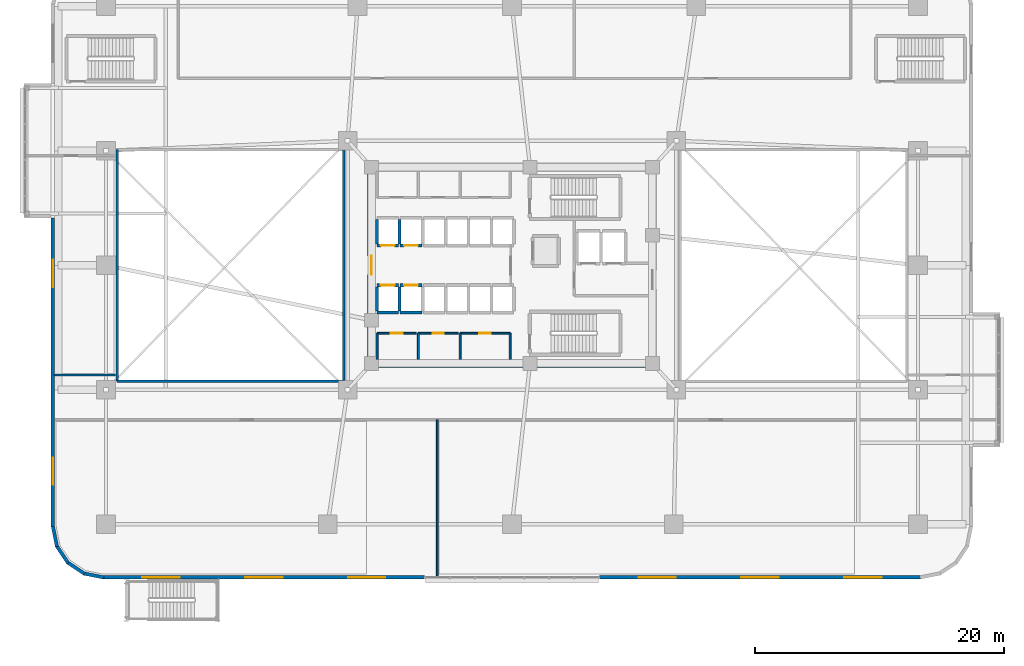
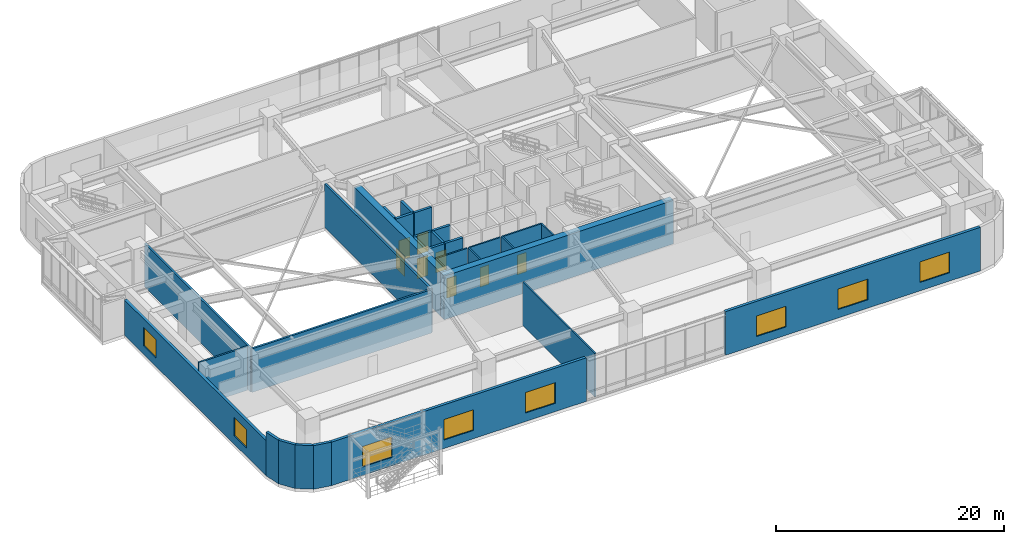
# One storey, part 15 of 24: 31 walls, 8 doors, 8 windows, 16 openings.
"""IFC4 building model written with IfcOpenShell, lengths in metres."""

from ifc_helpers import new_model, si_unit, direction, frame, frame_2d, origin, place, context, subcontext, project, spatial, rectangle, extrude, material, layer, layer_set, type_object, element, fill, save


model = new_model("IFC4")

# Units and contexts
model_context = context("Model", 3, precision=1e-05, world=origin(), true_north=direction((0.0, 1.0)))
body_context = subcontext(model_context, "Body", "Model", "MODEL_VIEW")
ifc_project = project(units=[si_unit("LENGTHUNIT", "METRE"), si_unit("AREAUNIT", "SQUARE_METRE"), si_unit("VOLUMEUNIT", "CUBIC_METRE"), si_unit("PLANEANGLEUNIT", "RADIAN"), si_unit("MASSUNIT", "GRAM", prefix="KILO")], contexts=[model_context])

# Site, building, storey
site_placement = place(None, origin())
site = spatial("IfcSite", under=ifc_project, at=site_placement, CompositionType="ELEMENT")
building_placement = place(site_placement, origin())
building = spatial("IfcBuilding", under=site, at=building_placement, Name="Zulverin Broadcast Headquarters", CompositionType="ELEMENT")
storey_placement = place(building_placement, frame((0.0, 0.0, 5.0)))
storey = spatial("IfcBuildingStorey", under=building, at=storey_placement, Name="L01", CompositionType="ELEMENT", Elevation=5.0)

# Walls
ifc_material_1 = material(Name="Acoustic drywall steel stud", Category="steel")
ifc_layer_1 = layer(ifc_material_1, 0.199951171875, Name="Acoustic drywall steel stud", Category="steel")
ifc_layer_set_1 = layer_set([ifc_layer_1], Name="Acoustic drywall steel stud")
wall_type_1 = type_object("IfcWallType", Name="WL-ACOU-200", PredefinedType="PARTITIONING", material=ifc_layer_set_1)
for number, where, z_axis, x_axis, name in (
    (1, (5.300048828125, 15.89990234375, 0.0), (0.0, 0.0, 1.0), (0.0, 1.0, 0.0), "L01 WEST Studio Void W Wall"),
    (2, (23.5, 15.89990234375, 0.0), (0.0, 0.0, 1.0), (0.0, 1.0, 0.0), "L01 WEST Studio Void E Wall"),
):
    element("IfcWall", number, at=place(storey_placement, frame(where, z_axis=z_axis, x_axis=x_axis)), inside=storey, type_object=wall_type_1, Name=name, PredefinedType="PARTITIONING", context=body_context, shape_type="SweptSolid", body=[
        extrude(rectangle(XDim=18.60009765625, YDim=0.199951171875, at=frame_2d((9.300048828125, 0.0))), origin(), (0.0, 0.0, 1.0), 4.659912109375),
    ])
wall_1_placement = place(storey_placement, frame((5.300048828125, 15.89990234375, 0.0), z_axis=(0.0, 0.0, 1.0), x_axis=(1.0, 0.0, 0.0)))
element("IfcWall", 3, at=wall_1_placement, inside=storey, type_object=wall_type_1, Name="L01 WEST Studio Void S Wall", PredefinedType="PARTITIONING", context=body_context, shape_type="SweptSolid", body=[
    extrude(rectangle(XDim=18.199951171875, YDim=0.199951171875, at=frame_2d((9.10009765625, 0.0))), origin(), (0.0, 0.0, 1.0), 4.659912109375),
])
ifc_material_2 = material(Name="Concrete C60/75", Category="concrete")
ifc_layer_2 = layer(ifc_material_2, 0.64990234375, Name="Concrete C60/75", Category="concrete")
ifc_layer_set_2 = layer_set([ifc_layer_2], Name="Concrete C60/75")
wall_type_2 = type_object("IfcWallType", Name="WL-CORE-650", PredefinedType="SHEAR", material=ifc_layer_set_2)
wall_2_placement = place(storey_placement, frame((25.39990234375, 17.324951171875, 0.0), z_axis=(0.0, 0.0, 1.0), x_axis=(1.0, 0.0, 0.0)))
element("IfcWall", 4, at=wall_2_placement, inside=storey, type_object=wall_type_2, Name="L01 Core South Shear Wall", PredefinedType="SHEAR", context=body_context, shape_type="SweptSolid", body=[
    extrude(rectangle(XDim=23.2001953125, YDim=0.64990234375, at=frame_2d((11.60009765625, 0.0))), origin(), (0.0, 0.0, 1.0), 4.659912109375),
])

# Wall, opening, door
wall_3_placement = place(storey_placement, frame((25.72509765625, 17.64990234375, 0.0), z_axis=(0.0, 0.0, 1.0), x_axis=(0.0, 1.0, 0.0)))
wall_3 = element("IfcWall", 5, at=wall_3_placement, inside=storey, type_object=wall_type_2, Name="L01 Core West Shear Wall", PredefinedType="SHEAR", context=body_context, shape_type="SweptSolid", body=[
    extrude(rectangle(XDim=15.10009765625, YDim=0.64990234375, at=frame_2d((7.550048828125, 0.0))), origin(), (0.0, 0.0, 1.0), 4.659912109375),
])
opening_1_placement = place(wall_3_placement, frame((6.800048828125, 0.0, 0.0)))
opening_1 = element("IfcOpeningElement", 6, at=opening_1_placement, cuts=wall_3, Name="Opening D-L01-CW1", PredefinedType="OPENING", context=body_context, shape_type="SweptSolid", body=[
    extrude(rectangle(XDim=1.5, YDim=2.14990234375, at=frame_2d((0.75, 1.074951171875))), frame((0.0, 0.3349609375, 0.0), z_axis=(0.0, -1.0, 0.0), x_axis=(1.0, 0.0, 0.0)), (0.0, 0.0, 1.0), 0.669921875),
])
ifc_material_3 = material(Name="Fire-rated glazed steel frame", Category="steel")
door_type_1 = type_object("IfcDoorType", Name="DR-COR-1500", OperationType="DOUBLE_DOOR_SINGLE_SWING", PredefinedType="DOOR", material=ifc_material_3)
door_1_placement = place(opening_1_placement, origin())
door_1 = element("IfcDoor", 7, at=door_1_placement, inside=storey, type_object=door_type_1, Name="L01 Central Lift Lobby West Portal Door", OperationType="DOUBLE_DOOR_SINGLE_SWING", OverallHeight=2.14990234375, OverallWidth=1.5, PredefinedType="DOOR", context=body_context, shape_type="SweptSolid", body=[
    extrude(rectangle(XDim=1.5, YDim=2.14990234375, at=frame_2d((0.75, 1.074951171875))), frame((0.0, 0.02490234375, 0.0), z_axis=(0.0, -1.0, 0.0), x_axis=(1.0, 0.0, 0.0)), (0.0, 0.0, 1.0), 0.050048828125),
])
fill(opening_1, door_1)

# Wall, openings, windows
ifc_material_4 = material(Name="Insulated pale-metal clad concrete spandrel C40/50", Category="concrete")
ifc_layer_3 = layer(ifc_material_4, 0.280029296875, Name="Insulated pale-metal clad concrete spandrel C40/50", Category="concrete")
ifc_layer_set_3 = layer_set([ifc_layer_3], Name="Insulated pale-metal clad concrete spandrel C40/50")
wall_type_3 = type_object("IfcWallType", Name="WL-EXT-280", PredefinedType="STANDARD", material=ifc_layer_set_3)
wall_4_placement = place(storey_placement, frame((0.139892578125, 29.0, 0.0), z_axis=(0.0, 0.0, 1.0), x_axis=(0.0, -1.0, 0.0)))
wall_4 = element("IfcWall", 8, at=wall_4_placement, inside=storey, type_object=wall_type_3, Name="L01 Podium Spandrel Wall 3-2", PredefinedType="STANDARD", context=body_context, shape_type="SweptSolid", body=[
    extrude(rectangle(XDim=24.800048828125, YDim=0.280029296875, at=frame_2d((12.39990234375, 0.0))), origin(), (0.0, 0.0, 1.0), 3.760009765625),
])
opening_2_placement = place(wall_4_placement, frame((3.36669921875, 0.0, 0.89990234375)))
opening_2 = element("IfcOpeningElement", 9, at=opening_2_placement, cuts=wall_4, Name="Opening W-L01-E3S21", PredefinedType="OPENING", context=body_context, shape_type="SweptSolid", body=[
    extrude(rectangle(XDim=2.199951171875, YDim=1.949951171875, at=frame_2d((1.10009765625, 0.97509765625))), frame((0.0, 0.14990234375, 0.0), z_axis=(0.0, -1.0, 0.0), x_axis=(1.0, 0.0, 0.0)), (0.0, 0.0, 1.0), 0.300048828125),
])
opening_3_placement = place(wall_4_placement, frame((19.2333984375, 0.0, 0.89990234375)))
opening_3 = element("IfcOpeningElement", 10, at=opening_3_placement, cuts=wall_4, Name="Opening W-L01-E3S22", PredefinedType="OPENING", context=body_context, shape_type="SweptSolid", body=[
    extrude(rectangle(XDim=2.199951171875, YDim=1.949951171875, at=frame_2d((1.10009765625, 0.97509765625))), frame((0.0, 0.14990234375, 0.0), z_axis=(0.0, -1.0, 0.0), x_axis=(1.0, 0.0, 0.0)), (0.0, 0.0, 1.0), 0.300048828125),
])
ifc_material_5 = material(Name="Pale anodized aluminium frame with solar-control low-E double glazing", Category="aluminium")
window_type_1 = type_object("IfcWindowType", Name="WIN-POD-2200", PartitioningType="SINGLE_PANEL", PredefinedType="WINDOW", material=ifc_material_5)
window_1_placement = place(opening_2_placement, origin())
window_1 = element("IfcWindow", 11, at=window_1_placement, inside=storey, type_object=window_type_1, Name="L01 Podium Ribbon Window 3-2 1", OverallHeight=1.949951171875, OverallWidth=2.199951171875, PartitioningType="SINGLE_PANEL", PredefinedType="WINDOW", context=body_context, shape_type="SweptSolid", body=[
    extrude(rectangle(XDim=2.199951171875, YDim=1.949951171875, at=frame_2d((1.10009765625, 0.97509765625))), frame((0.0, 0.030029296875, 0.0), z_axis=(0.0, -1.0, 0.0), x_axis=(1.0, 0.0, 0.0)), (0.0, 0.0, 1.0), 0.06005859375),
])
fill(opening_2, window_1)
window_2_placement = place(opening_3_placement, origin())
window_2 = element("IfcWindow", 12, at=window_2_placement, inside=storey, type_object=window_type_1, Name="L01 Podium Ribbon Window 3-2 2", OverallHeight=1.949951171875, OverallWidth=2.199951171875, PartitioningType="SINGLE_PANEL", PredefinedType="WINDOW", context=body_context, shape_type="SweptSolid", body=[
    extrude(rectangle(XDim=2.199951171875, YDim=1.949951171875, at=frame_2d((1.10009765625, 0.97509765625))), frame((0.0, 0.030029296875, 0.0), z_axis=(0.0, -1.0, 0.0), x_axis=(1.0, 0.0, 0.0)), (0.0, 0.0, 1.0), 0.06005859375),
])
fill(opening_3, window_2)

wall_5_placement = place(storey_placement, frame((4.199951171875, 0.139892578125, 0.0), z_axis=(0.0, 0.0, 1.0), x_axis=(1.0, 0.0, 0.0)))
wall_5 = element("IfcWall", 13, at=wall_5_placement, inside=storey, type_object=wall_type_3, Name="L01 Podium Flank Wall 4-1", PredefinedType="STANDARD", context=body_context, shape_type="SweptSolid", body=[
    extrude(rectangle(XDim=25.761962890625, YDim=0.280029296875, at=frame_2d((12.880859375, 0.0))), origin(), (0.0, 0.0, 1.0), 4.659912109375),
])
opening_4_placement = place(wall_5_placement, frame((3.126953125, 0.0, 0.89990234375)))
opening_4 = element("IfcOpeningElement", 14, at=opening_4_placement, cuts=wall_5, Name="Opening W-L01-F411", PredefinedType="OPENING", context=body_context, shape_type="SweptSolid", body=[
    extrude(rectangle(XDim=3.0, YDim=2.199951171875, at=frame_2d((1.5, 1.10009765625))), frame((0.0, 0.14990234375, 0.0), z_axis=(0.0, -1.0, 0.0), x_axis=(1.0, 0.0, 0.0)), (0.0, 0.0, 1.0), 0.300048828125),
])
opening_5_placement = place(wall_5_placement, frame((11.381103515625, 0.0, 0.89990234375)))
opening_5 = element("IfcOpeningElement", 15, at=opening_5_placement, cuts=wall_5, Name="Opening W-L01-F412", PredefinedType="OPENING", context=body_context, shape_type="SweptSolid", body=[
    extrude(rectangle(XDim=3.0, YDim=2.199951171875, at=frame_2d((1.5, 1.10009765625))), frame((0.0, 0.14990234375, 0.0), z_axis=(0.0, -1.0, 0.0), x_axis=(1.0, 0.0, 0.0)), (0.0, 0.0, 1.0), 0.300048828125),
])
opening_6_placement = place(wall_5_placement, frame((19.635009765625, 0.0, 0.89990234375)))
opening_6 = element("IfcOpeningElement", 16, at=opening_6_placement, cuts=wall_5, Name="Opening W-L01-F413", PredefinedType="OPENING", context=body_context, shape_type="SweptSolid", body=[
    extrude(rectangle(XDim=3.0, YDim=2.199951171875, at=frame_2d((1.5, 1.10009765625))), frame((0.0, 0.14990234375, 0.0), z_axis=(0.0, -1.0, 0.0), x_axis=(1.0, 0.0, 0.0)), (0.0, 0.0, 1.0), 0.300048828125),
])
window_type_2 = type_object("IfcWindowType", Name="WIN-POD-3000", PartitioningType="SINGLE_PANEL", PredefinedType="WINDOW", material=ifc_material_5)
window_3_placement = place(opening_4_placement, origin())
window_3 = element("IfcWindow", 17, at=window_3_placement, inside=storey, type_object=window_type_2, Name="L01 Podium Flank Window 4-1 1", OverallHeight=2.199951171875, OverallWidth=3.0, PartitioningType="SINGLE_PANEL", PredefinedType="WINDOW", context=body_context, shape_type="SweptSolid", body=[
    extrude(rectangle(XDim=3.0, YDim=2.199951171875, at=frame_2d((1.5, 1.10009765625))), frame((0.0, 0.030029296875, 0.0), z_axis=(0.0, -1.0, 0.0), x_axis=(1.0, 0.0, 0.0)), (0.0, 0.0, 1.0), 0.06005859375),
])
fill(opening_4, window_3)
window_4_placement = place(opening_5_placement, origin())
window_4 = element("IfcWindow", 18, at=window_4_placement, inside=storey, type_object=window_type_2, Name="L01 Podium Flank Window 4-1 2", OverallHeight=2.199951171875, OverallWidth=3.0, PartitioningType="SINGLE_PANEL", PredefinedType="WINDOW", context=body_context, shape_type="SweptSolid", body=[
    extrude(rectangle(XDim=3.0, YDim=2.199951171875, at=frame_2d((1.5, 1.10009765625))), frame((0.0, 0.030029296875, 0.0), z_axis=(0.0, -1.0, 0.0), x_axis=(1.0, 0.0, 0.0)), (0.0, 0.0, 1.0), 0.06005859375),
])
fill(opening_5, window_4)
window_5_placement = place(opening_6_placement, origin())
window_5 = element("IfcWindow", 19, at=window_5_placement, inside=storey, type_object=window_type_2, Name="L01 Podium Flank Window 4-1 3", OverallHeight=2.199951171875, OverallWidth=3.0, PartitioningType="SINGLE_PANEL", PredefinedType="WINDOW", context=body_context, shape_type="SweptSolid", body=[
    extrude(rectangle(XDim=3.0, YDim=2.199951171875, at=frame_2d((1.5, 1.10009765625))), frame((0.0, 0.030029296875, 0.0), z_axis=(0.0, -1.0, 0.0), x_axis=(1.0, 0.0, 0.0)), (0.0, 0.0, 1.0), 0.06005859375),
])
fill(opening_6, window_5)

wall_6_placement = place(storey_placement, frame((44.0380859375, 0.139892578125, 0.0), z_axis=(0.0, 0.0, 1.0), x_axis=(1.0, 0.0, 0.0)))
wall_6 = element("IfcWall", 20, at=wall_6_placement, inside=storey, type_object=wall_type_3, Name="L01 Podium Flank Wall 4-2", PredefinedType="STANDARD", context=body_context, shape_type="SweptSolid", body=[
    extrude(rectangle(XDim=25.761962890625, YDim=0.280029296875, at=frame_2d((12.880859375, 0.0))), origin(), (0.0, 0.0, 1.0), 4.659912109375),
])
opening_7_placement = place(wall_6_placement, frame((3.126953125, 0.0, 0.89990234375)))
opening_7 = element("IfcOpeningElement", 21, at=opening_7_placement, cuts=wall_6, Name="Opening W-L01-F421", PredefinedType="OPENING", context=body_context, shape_type="SweptSolid", body=[
    extrude(rectangle(XDim=3.0, YDim=2.199951171875, at=frame_2d((1.5, 1.10009765625))), frame((0.0, 0.14990234375, 0.0), z_axis=(0.0, -1.0, 0.0), x_axis=(1.0, 0.0, 0.0)), (0.0, 0.0, 1.0), 0.300048828125),
])
opening_8_placement = place(wall_6_placement, frame((11.381103515625, 0.0, 0.89990234375)))
opening_8 = element("IfcOpeningElement", 22, at=opening_8_placement, cuts=wall_6, Name="Opening W-L01-F422", PredefinedType="OPENING", context=body_context, shape_type="SweptSolid", body=[
    extrude(rectangle(XDim=3.0, YDim=2.199951171875, at=frame_2d((1.5, 1.10009765625))), frame((0.0, 0.14990234375, 0.0), z_axis=(0.0, -1.0, 0.0), x_axis=(1.0, 0.0, 0.0)), (0.0, 0.0, 1.0), 0.300048828125),
])
opening_9_placement = place(wall_6_placement, frame((19.635009765625, 0.0, 0.89990234375)))
opening_9 = element("IfcOpeningElement", 23, at=opening_9_placement, cuts=wall_6, Name="Opening W-L01-F423", PredefinedType="OPENING", context=body_context, shape_type="SweptSolid", body=[
    extrude(rectangle(XDim=3.0, YDim=2.199951171875, at=frame_2d((1.5, 1.10009765625))), frame((0.0, 0.14990234375, 0.0), z_axis=(0.0, -1.0, 0.0), x_axis=(1.0, 0.0, 0.0)), (0.0, 0.0, 1.0), 0.300048828125),
])
window_6_placement = place(opening_7_placement, origin())
window_6 = element("IfcWindow", 24, at=window_6_placement, inside=storey, type_object=window_type_2, Name="L01 Podium Flank Window 4-2 1", OverallHeight=2.199951171875, OverallWidth=3.0, PartitioningType="SINGLE_PANEL", PredefinedType="WINDOW", context=body_context, shape_type="SweptSolid", body=[
    extrude(rectangle(XDim=3.0, YDim=2.199951171875, at=frame_2d((1.5, 1.10009765625))), frame((0.0, 0.030029296875, 0.0), z_axis=(0.0, -1.0, 0.0), x_axis=(1.0, 0.0, 0.0)), (0.0, 0.0, 1.0), 0.06005859375),
])
fill(opening_7, window_6)
window_7_placement = place(opening_8_placement, origin())
window_7 = element("IfcWindow", 25, at=window_7_placement, inside=storey, type_object=window_type_2, Name="L01 Podium Flank Window 4-2 2", OverallHeight=2.199951171875, OverallWidth=3.0, PartitioningType="SINGLE_PANEL", PredefinedType="WINDOW", context=body_context, shape_type="SweptSolid", body=[
    extrude(rectangle(XDim=3.0, YDim=2.199951171875, at=frame_2d((1.5, 1.10009765625))), frame((0.0, 0.030029296875, 0.0), z_axis=(0.0, -1.0, 0.0), x_axis=(1.0, 0.0, 0.0)), (0.0, 0.0, 1.0), 0.06005859375),
])
fill(opening_8, window_7)
window_8_placement = place(opening_9_placement, origin())
window_8 = element("IfcWindow", 26, at=window_8_placement, inside=storey, type_object=window_type_2, Name="L01 Podium Flank Window 4-2 3", OverallHeight=2.199951171875, OverallWidth=3.0, PartitioningType="SINGLE_PANEL", PredefinedType="WINDOW", context=body_context, shape_type="SweptSolid", body=[
    extrude(rectangle(XDim=3.0, YDim=2.199951171875, at=frame_2d((1.5, 1.10009765625))), frame((0.0, 0.030029296875, 0.0), z_axis=(0.0, -1.0, 0.0), x_axis=(1.0, 0.0, 0.0)), (0.0, 0.0, 1.0), 0.06005859375),
])
fill(opening_9, window_8)

# Walls
for number, where, z_axis, x_axis, name in (
    (27, (0.13720703125, 4.227294921875, 0.0), (0.0, 0.0, 1.0), (0.19517056122, -0.980769316421, 0.0), "L01 Wind-Shaped Corner Spandrel Wall 3-1"),
    (28, (0.43603515625, 2.67041015625, 0.0), (0.0, 0.0, 1.0), (0.555731236514, -0.831362010656, 0.0), "L01 Wind-Shaped Corner Spandrel Wall 3-2"),
    (29, (1.30810546875, 1.3466796875, 0.0), (0.0, 0.0, 1.0), (0.831362010656, -0.555731236514, 0.0), "L01 Wind-Shaped Corner Spandrel Wall 3-3"),
    (30, (2.6201171875, 0.45703125, 0.0), (0.0, 0.0, 1.0), (0.980769316421, -0.19517056122, 0.0), "L01 Wind-Shaped Corner Spandrel Wall 3-4"),
):
    element("IfcWall", number, at=place(storey_placement, frame(where, z_axis=z_axis, x_axis=x_axis)), inside=storey, type_object=wall_type_3, Name=name, PredefinedType="STANDARD", context=body_context, shape_type="SweptSolid", body=[
        extrude(rectangle(XDim=1.638671875, YDim=0.280029296875, at=frame_2d((0.8193359375, 0.0))), origin(), (0.0, 0.0, 1.0), 4.659912109375),
    ])

# Wall, opening, door
ifc_material_6 = material(Name="Fire-rated gypsum stud partition", Category="gypsum")
ifc_layer_4 = layer(ifc_material_6, 0.14990234375, Name="Fire-rated gypsum stud partition", Category="gypsum")
ifc_layer_set_4 = layer_set([ifc_layer_4], Name="Fire-rated gypsum stud partition")
wall_type_4 = type_object("IfcWallType", Name="WL-PART-150", PredefinedType="PARTITIONING", material=ifc_layer_set_4)
wall_7_placement = place(storey_placement, frame((26.169921875, 19.75, 0.0), z_axis=(0.0, 0.0, 1.0), x_axis=(1.0, 0.0, 0.0)))
wall_7 = element("IfcWall", 31, at=wall_7_placement, inside=storey, type_object=wall_type_4, Name="L01 Core Female WC Front Wall", PredefinedType="PARTITIONING", context=body_context, shape_type="SweptSolid", body=[
    extrude(rectangle(XDim=3.150146484375, YDim=0.14990234375, at=frame_2d((1.5751953125, 0.0))), origin(), (0.0, 0.0, 1.0), 4.659912109375),
])
opening_10_placement = place(wall_7_placement, frame((1.10009765625, 0.0, 0.0)))
opening_10 = element("IfcOpeningElement", 32, at=opening_10_placement, cuts=wall_7, Name="Opening D-L01-SC1", PredefinedType="OPENING", context=body_context, shape_type="SweptSolid", body=[
    extrude(rectangle(XDim=0.949951171875, YDim=2.10009765625, at=frame_2d((0.47509765625, 1.050048828125))), frame((0.0, 0.0849609375, 0.0), z_axis=(0.0, -1.0, 0.0), x_axis=(1.0, 0.0, 0.0)), (0.0, 0.0, 1.0), 0.169921875),
])
ifc_material_7 = material(Name="Fire-rated moisture-resistant laminate leaf", Category="wood")
door_type_2 = type_object("IfcDoorType", Name="DR-WC-950", OperationType="SINGLE_SWING_LEFT", PredefinedType="DOOR", material=ifc_material_7)
door_2_placement = place(opening_10_placement, origin())
door_2 = element("IfcDoor", 33, at=door_2_placement, inside=storey, type_object=door_type_2, Name="L01 Female WC Door", OperationType="SINGLE_SWING_RIGHT", OverallHeight=2.10009765625, OverallWidth=0.949951171875, PredefinedType="DOOR", context=body_context, shape_type="SweptSolid", body=[
    extrude(rectangle(XDim=0.949951171875, YDim=2.10009765625, at=frame_2d((0.47509765625, 1.050048828125))), frame((0.0, 0.02490234375, 0.0), z_axis=(0.0, -1.0, 0.0), x_axis=(1.0, 0.0, 0.0)), (0.0, 0.0, 1.0), 0.050048828125),
])
fill(opening_10, door_2)

# Wall
wall_8_placement = place(storey_placement, frame((26.169921875, 17.64990234375, 0.0), z_axis=(0.0, 0.0, 1.0), x_axis=(0.0, 1.0, 0.0)))
element("IfcWall", 34, at=wall_8_placement, inside=storey, type_object=wall_type_4, Name="L01 Core Female WC West Wall", PredefinedType="PARTITIONING", context=body_context, shape_type="SweptSolid", body=[
    extrude(rectangle(XDim=2.10009765625, YDim=0.14990234375, at=frame_2d((1.050048828125, 0.0))), origin(), (0.0, 0.0, 1.0), 4.659912109375),
])

# Wall, opening, door
wall_9_placement = place(storey_placement, frame((29.47998046875, 19.75, 0.0), z_axis=(0.0, 0.0, 1.0), x_axis=(1.0, 0.0, 0.0)))
wall_9 = element("IfcWall", 35, at=wall_9_placement, inside=storey, type_object=wall_type_4, Name="L01 Core Cleaner Store Front Wall", PredefinedType="PARTITIONING", context=body_context, shape_type="SweptSolid", body=[
    extrude(rectangle(XDim=3.18994140625, YDim=0.14990234375, at=frame_2d((1.594970703125, 0.0))), origin(), (0.0, 0.0, 1.0), 4.659912109375),
])
opening_11_placement = place(wall_9_placement, frame((1.14501953125, 0.0, 0.0)))
opening_11 = element("IfcOpeningElement", 36, at=opening_11_placement, cuts=wall_9, Name="Opening D-L01-SC2", PredefinedType="OPENING", context=body_context, shape_type="SweptSolid", body=[
    extrude(rectangle(XDim=0.89990234375, YDim=2.10009765625, at=frame_2d((0.449951171875, 1.050048828125))), frame((0.0, 0.0849609375, 0.0), z_axis=(0.0, -1.0, 0.0), x_axis=(1.0, 0.0, 0.0)), (0.0, 0.0, 1.0), 0.169921875),
])
ifc_material_8 = material(Name="Powder-coated steel access leaf", Category="steel")
door_type_3 = type_object("IfcDoorType", Name="DR-RISER-900", OperationType="SINGLE_SWING_LEFT", PredefinedType="DOOR", material=ifc_material_8)
door_3_placement = place(opening_11_placement, origin())
door_3 = element("IfcDoor", 37, at=door_3_placement, inside=storey, type_object=door_type_3, Name="L01 Cleaner Store Door", OperationType="SINGLE_SWING_LEFT", OverallHeight=2.10009765625, OverallWidth=0.89990234375, PredefinedType="DOOR", context=body_context, shape_type="SweptSolid", body=[
    extrude(rectangle(XDim=0.89990234375, YDim=2.10009765625, at=frame_2d((0.449951171875, 1.050048828125))), frame((0.0, 0.02490234375, 0.0), z_axis=(0.0, -1.0, 0.0), x_axis=(1.0, 0.0, 0.0)), (0.0, 0.0, 1.0), 0.050048828125),
])
fill(opening_11, door_3)

# Wall
wall_10_placement = place(storey_placement, frame((29.47998046875, 17.64990234375, 0.0), z_axis=(0.0, 0.0, 1.0), x_axis=(0.0, 1.0, 0.0)))
element("IfcWall", 38, at=wall_10_placement, inside=storey, type_object=wall_type_4, Name="L01 Core Cleaner Store West Wall", PredefinedType="PARTITIONING", context=body_context, shape_type="SweptSolid", body=[
    extrude(rectangle(XDim=2.10009765625, YDim=0.14990234375, at=frame_2d((1.050048828125, 0.0))), origin(), (0.0, 0.0, 1.0), 4.659912109375),
])

# Wall, opening, door
wall_11_placement = place(storey_placement, frame((32.830078125, 19.75, 0.0), z_axis=(0.0, 0.0, 1.0), x_axis=(1.0, 0.0, 0.0)))
wall_11 = element("IfcWall", 39, at=wall_11_placement, inside=storey, type_object=wall_type_4, Name="L01 Core Broadcast Fibre Riser Front Wall", PredefinedType="PARTITIONING", context=body_context, shape_type="SweptSolid", body=[
    extrude(rectangle(XDim=4.02001953125, YDim=0.14990234375, at=frame_2d((2.010009765625, 0.0))), origin(), (0.0, 0.0, 1.0), 4.659912109375),
])
opening_12_placement = place(wall_11_placement, frame((1.56005859375, 0.0, 0.0)))
opening_12 = element("IfcOpeningElement", 40, at=opening_12_placement, cuts=wall_11, Name="Opening D-L01-SC3", PredefinedType="OPENING", context=body_context, shape_type="SweptSolid", body=[
    extrude(rectangle(XDim=0.89990234375, YDim=2.10009765625, at=frame_2d((0.449951171875, 1.050048828125))), frame((0.0, 0.0849609375, 0.0), z_axis=(0.0, -1.0, 0.0), x_axis=(1.0, 0.0, 0.0)), (0.0, 0.0, 1.0), 0.169921875),
])
door_4_placement = place(opening_12_placement, origin())
door_4 = element("IfcDoor", 41, at=door_4_placement, inside=storey, type_object=door_type_3, Name="L01 Broadcast Fibre Riser Door", OperationType="SINGLE_SWING_RIGHT", OverallHeight=2.10009765625, OverallWidth=0.89990234375, PredefinedType="DOOR", context=body_context, shape_type="SweptSolid", body=[
    extrude(rectangle(XDim=0.89990234375, YDim=2.10009765625, at=frame_2d((0.449951171875, 1.050048828125))), frame((0.0, 0.02490234375, 0.0), z_axis=(0.0, -1.0, 0.0), x_axis=(1.0, 0.0, 0.0)), (0.0, 0.0, 1.0), 0.050048828125),
])
fill(opening_12, door_4)

# Walls
for number, where, z_axis, x_axis, name in (
    (42, (32.830078125, 17.64990234375, 0.0), (0.0, 0.0, 1.0), (0.0, 1.0, 0.0), "L01 Core Broadcast Fibre Riser West Wall"),
    (43, (36.85009765625, 17.64990234375, 0.0), (0.0, 0.0, 1.0), (0.0, 1.0, 0.0), "L01 Core Broadcast Fibre Riser East Wall"),
):
    element("IfcWall", number, at=place(storey_placement, frame(where, z_axis=z_axis, x_axis=x_axis)), inside=storey, type_object=wall_type_4, Name=name, PredefinedType="PARTITIONING", context=body_context, shape_type="SweptSolid", body=[
        extrude(rectangle(XDim=2.10009765625, YDim=0.14990234375, at=frame_2d((1.050048828125, 0.0))), origin(), (0.0, 0.0, 1.0), 4.659912109375),
    ])
wall_12_placement = place(storey_placement, frame((31.0, 0.205078125, 0.0), z_axis=(0.0, 0.0, 1.0), x_axis=(0.0, 1.0, 0.0)))
element("IfcWall", 44, at=wall_12_placement, inside=storey, type_object=wall_type_4, Name="L01 Room Partition Wall RP-04", PredefinedType="PARTITIONING", context=body_context, shape_type="SweptSolid", body=[
    extrude(rectangle(XDim=12.594970703125, YDim=0.14990234375, at=frame_2d((6.29736328125, 0.0))), origin(), (0.0, 0.0, 1.0), 4.659912109375),
])
ifc_material_9 = material(Name="Fire-rated acoustic stud wall", Category="gypsum")
ifc_layer_5 = layer(ifc_material_9, 0.175048828125, Name="Fire-rated acoustic stud wall", Category="gypsum")
ifc_layer_set_5 = layer_set([ifc_layer_5], Name="Fire-rated acoustic stud wall")
wall_type_5 = type_object("IfcWallType", Name="WL-PART-175", PredefinedType="PARTITIONING", material=ifc_layer_set_5)
wall_13_placement = place(storey_placement, frame((0.205078125, 16.39990234375, 0.0), z_axis=(0.0, 0.0, 1.0), x_axis=(1.0, 0.0, 0.0)))
element("IfcWall", 45, at=wall_13_placement, inside=storey, type_object=wall_type_5, Name="L01 Gallery Partition Wall CG-08", PredefinedType="PARTITIONING", context=body_context, shape_type="SweptSolid", body=[
    extrude(rectangle(XDim=4.94482421875, YDim=0.175048828125, at=frame_2d((2.472412109375, 0.0))), origin(), (0.0, 0.0, 1.0), 4.659912109375),
])

# Wall, opening, door
ifc_material_10 = material(Name="Concrete C50/60", Category="concrete")
ifc_layer_6 = layer(ifc_material_10, 0.25, Name="Concrete C50/60", Category="concrete")
ifc_layer_set_6 = layer_set([ifc_layer_6], Name="Concrete C50/60")
wall_type_6 = type_object("IfcWallType", Name="WL-SHAFT-250", PredefinedType="SHEAR", material=ifc_layer_set_6)
wall_14_placement = place(storey_placement, frame((26.14990234375, 26.800048828125, 0.0), z_axis=(0.0, 0.0, 1.0), x_axis=(1.0, 0.0, 0.0)))
wall_14 = element("IfcWall", 46, at=wall_14_placement, inside=storey, type_object=wall_type_6, Name="L01 Lift PL-L1 Shaft Wall S", PredefinedType="SHEAR", context=body_context, shape_type="SweptSolid", body=[
    extrude(rectangle(XDim=1.75, YDim=0.25, at=frame_2d((0.875, 0.0))), origin(), (0.0, 0.0, 1.0), 4.659912109375),
])
opening_13_placement = place(wall_14_placement, frame((0.324951171875, 0.0, 0.0)))
opening_13 = element("IfcOpeningElement", 47, at=opening_13_placement, cuts=wall_14, Name="Opening LD-PL-L1-L01", PredefinedType="OPENING", context=body_context, shape_type="SweptSolid", body=[
    extrude(rectangle(XDim=1.10009765625, YDim=2.14990234375, at=frame_2d((0.550048828125, 1.074951171875))), frame((0.0, 0.135009765625, 0.0), z_axis=(0.0, -1.0, 0.0), x_axis=(1.0, 0.0, 0.0)), (0.0, 0.0, 1.0), 0.27001953125),
])
ifc_material_11 = material(Name="Brushed stainless steel landing", Category="steel")
door_type_4 = type_object("IfcDoorType", Name="LD-PASS-1100", OperationType="DOUBLE_DOOR_SLIDING", PredefinedType="DOOR", material=ifc_material_11)
door_5_placement = place(opening_13_placement, origin())
door_5 = element("IfcDoor", 48, at=door_5_placement, inside=storey, type_object=door_type_4, Name="L01 Lift PL-L1 Sliding Landing Door", OperationType="DOUBLE_DOOR_SLIDING", OverallHeight=2.14990234375, OverallWidth=1.10009765625, PredefinedType="DOOR", context=body_context, shape_type="SweptSolid", body=[
    extrude(rectangle(XDim=1.10009765625, YDim=2.14990234375, at=frame_2d((0.550048828125, 1.074951171875))), frame((0.0, 0.02490234375, 0.0), z_axis=(0.0, -1.0, 0.0), x_axis=(1.0, 0.0, 0.0)), (0.0, 0.0, 1.0), 0.050048828125),
])
fill(opening_13, door_5)

# Walls
for number, where, z_axis, x_axis, name in (
    (49, (26.14990234375, 26.919921875, 0.0), (0.0, 0.0, 1.0), (0.0, 1.0, 0.0), "L01 Lift PL-L1 Shaft Wall W"),
    (50, (27.9599609375, 26.919921875, 0.0), (0.0, 0.0, 1.0), (0.0, 1.0, 0.0), "L01 Lift PL-L1 Shaft Wall E"),
):
    element("IfcWall", number, at=place(storey_placement, frame(where, z_axis=z_axis, x_axis=x_axis)), inside=storey, type_object=wall_type_6, Name=name, PredefinedType="SHEAR", context=body_context, shape_type="SweptSolid", body=[
        extrude(rectangle(XDim=1.9599609375, YDim=0.25, at=frame_2d((0.97998046875, 0.0))), origin(), (0.0, 0.0, 1.0), 4.659912109375),
    ])

# Wall, opening, door
wall_15_placement = place(storey_placement, frame((28.02001953125, 26.800048828125, 0.0), z_axis=(0.0, 0.0, 1.0), x_axis=(1.0, 0.0, 0.0)))
wall_15 = element("IfcWall", 51, at=wall_15_placement, inside=storey, type_object=wall_type_6, Name="L01 Lift PL-L2 Shaft Wall S", PredefinedType="SHEAR", context=body_context, shape_type="SweptSolid", body=[
    extrude(rectangle(XDim=1.75, YDim=0.25, at=frame_2d((0.875, 0.0))), origin(), (0.0, 0.0, 1.0), 4.659912109375),
])
opening_14_placement = place(wall_15_placement, frame((0.324951171875, 0.0, 0.0)))
opening_14 = element("IfcOpeningElement", 52, at=opening_14_placement, cuts=wall_15, Name="Opening LD-PL-L2-L01", PredefinedType="OPENING", context=body_context, shape_type="SweptSolid", body=[
    extrude(rectangle(XDim=1.10009765625, YDim=2.14990234375, at=frame_2d((0.550048828125, 1.074951171875))), frame((0.0, 0.135009765625, 0.0), z_axis=(0.0, -1.0, 0.0), x_axis=(1.0, 0.0, 0.0)), (0.0, 0.0, 1.0), 0.27001953125),
])
door_6_placement = place(opening_14_placement, origin())
door_6 = element("IfcDoor", 53, at=door_6_placement, inside=storey, type_object=door_type_4, Name="L01 Lift PL-L2 Sliding Landing Door", OperationType="DOUBLE_DOOR_SLIDING", OverallHeight=2.14990234375, OverallWidth=1.10009765625, PredefinedType="DOOR", context=body_context, shape_type="SweptSolid", body=[
    extrude(rectangle(XDim=1.10009765625, YDim=2.14990234375, at=frame_2d((0.550048828125, 1.074951171875))), frame((0.0, 0.02490234375, 0.0), z_axis=(0.0, -1.0, 0.0), x_axis=(1.0, 0.0, 0.0)), (0.0, 0.0, 1.0), 0.050048828125),
])
fill(opening_14, door_6)

# Wall
wall_16_placement = place(storey_placement, frame((26.14990234375, 21.39990234375, 0.0), z_axis=(0.0, 0.0, 1.0), x_axis=(1.0, 0.0, 0.0)))
element("IfcWall", 54, at=wall_16_placement, inside=storey, type_object=wall_type_6, Name="L01 Lift PL-L3 Shaft Wall S", PredefinedType="SHEAR", context=body_context, shape_type="SweptSolid", body=[
    extrude(rectangle(XDim=1.75, YDim=0.25, at=frame_2d((0.875, 0.0))), origin(), (0.0, 0.0, 1.0), 4.659912109375),
])

# Wall, opening, door
wall_17_placement = place(storey_placement, frame((26.14990234375, 23.60009765625, 0.0), z_axis=(0.0, 0.0, 1.0), x_axis=(1.0, 0.0, 0.0)))
wall_17 = element("IfcWall", 55, at=wall_17_placement, inside=storey, type_object=wall_type_6, Name="L01 Lift PL-L3 Shaft Wall N", PredefinedType="SHEAR", context=body_context, shape_type="SweptSolid", body=[
    extrude(rectangle(XDim=1.75, YDim=0.25, at=frame_2d((0.875, 0.0))), origin(), (0.0, 0.0, 1.0), 4.659912109375),
])
opening_15_placement = place(wall_17_placement, frame((0.324951171875, 0.0, 0.0)))
opening_15 = element("IfcOpeningElement", 56, at=opening_15_placement, cuts=wall_17, Name="Opening LD-PL-L3-L01", PredefinedType="OPENING", context=body_context, shape_type="SweptSolid", body=[
    extrude(rectangle(XDim=1.10009765625, YDim=2.14990234375, at=frame_2d((0.550048828125, 1.074951171875))), frame((0.0, 0.135009765625, 0.0), z_axis=(0.0, -1.0, 0.0), x_axis=(1.0, 0.0, 0.0)), (0.0, 0.0, 1.0), 0.27001953125),
])
door_7_placement = place(opening_15_placement, origin())
door_7 = element("IfcDoor", 57, at=door_7_placement, inside=storey, type_object=door_type_4, Name="L01 Lift PL-L3 Sliding Landing Door", OperationType="DOUBLE_DOOR_SLIDING", OverallHeight=2.14990234375, OverallWidth=1.10009765625, PredefinedType="DOOR", context=body_context, shape_type="SweptSolid", body=[
    extrude(rectangle(XDim=1.10009765625, YDim=2.14990234375, at=frame_2d((0.550048828125, 1.074951171875))), frame((0.0, 0.02490234375, 0.0), z_axis=(0.0, -1.0, 0.0), x_axis=(1.0, 0.0, 0.0)), (0.0, 0.0, 1.0), 0.050048828125),
])
fill(opening_15, door_7)

# Walls
for number, where, z_axis, x_axis, name in (
    (58, (26.14990234375, 21.52001953125, 0.0), (0.0, 0.0, 1.0), (0.0, 1.0, 0.0), "L01 Lift PL-L3 Shaft Wall W"),
    (59, (27.9599609375, 21.52001953125, 0.0), (0.0, 0.0, 1.0), (0.0, 1.0, 0.0), "L01 Lift PL-L3 Shaft Wall E"),
):
    element("IfcWall", number, at=place(storey_placement, frame(where, z_axis=z_axis, x_axis=x_axis)), inside=storey, type_object=wall_type_6, Name=name, PredefinedType="SHEAR", context=body_context, shape_type="SweptSolid", body=[
        extrude(rectangle(XDim=1.9599609375, YDim=0.25, at=frame_2d((0.97998046875, 0.0))), origin(), (0.0, 0.0, 1.0), 4.659912109375),
    ])
wall_18_placement = place(storey_placement, frame((28.02001953125, 21.39990234375, 0.0), z_axis=(0.0, 0.0, 1.0), x_axis=(1.0, 0.0, 0.0)))
element("IfcWall", 60, at=wall_18_placement, inside=storey, type_object=wall_type_6, Name="L01 Lift PL-L4 Shaft Wall S", PredefinedType="SHEAR", context=body_context, shape_type="SweptSolid", body=[
    extrude(rectangle(XDim=1.75, YDim=0.25, at=frame_2d((0.875, 0.0))), origin(), (0.0, 0.0, 1.0), 4.659912109375),
])

# Wall, opening, door
wall_19_placement = place(storey_placement, frame((28.02001953125, 23.60009765625, 0.0), z_axis=(0.0, 0.0, 1.0), x_axis=(1.0, 0.0, 0.0)))
wall_19 = element("IfcWall", 61, at=wall_19_placement, inside=storey, type_object=wall_type_6, Name="L01 Lift PL-L4 Shaft Wall N", PredefinedType="SHEAR", context=body_context, shape_type="SweptSolid", body=[
    extrude(rectangle(XDim=1.75, YDim=0.25, at=frame_2d((0.875, 0.0))), origin(), (0.0, 0.0, 1.0), 4.659912109375),
])
opening_16_placement = place(wall_19_placement, frame((0.324951171875, 0.0, 0.0)))
opening_16 = element("IfcOpeningElement", 62, at=opening_16_placement, cuts=wall_19, Name="Opening LD-PL-L4-L01", PredefinedType="OPENING", context=body_context, shape_type="SweptSolid", body=[
    extrude(rectangle(XDim=1.10009765625, YDim=2.14990234375, at=frame_2d((0.550048828125, 1.074951171875))), frame((0.0, 0.135009765625, 0.0), z_axis=(0.0, -1.0, 0.0), x_axis=(1.0, 0.0, 0.0)), (0.0, 0.0, 1.0), 0.27001953125),
])
door_8_placement = place(opening_16_placement, origin())
door_8 = element("IfcDoor", 63, at=door_8_placement, inside=storey, type_object=door_type_4, Name="L01 Lift PL-L4 Sliding Landing Door", OperationType="DOUBLE_DOOR_SLIDING", OverallHeight=2.14990234375, OverallWidth=1.10009765625, PredefinedType="DOOR", context=body_context, shape_type="SweptSolid", body=[
    extrude(rectangle(XDim=1.10009765625, YDim=2.14990234375, at=frame_2d((0.550048828125, 1.074951171875))), frame((0.0, 0.02490234375, 0.0), z_axis=(0.0, -1.0, 0.0), x_axis=(1.0, 0.0, 0.0)), (0.0, 0.0, 1.0), 0.050048828125),
])
fill(opening_16, door_8)

save(model, "model.ifc")
